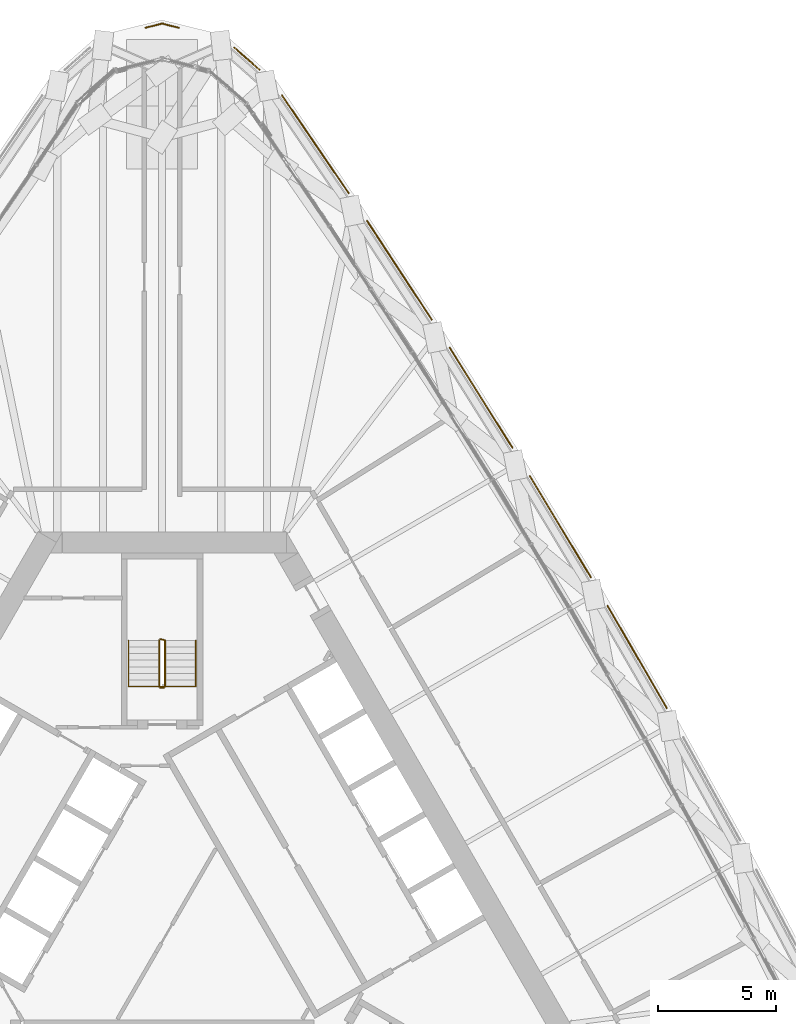
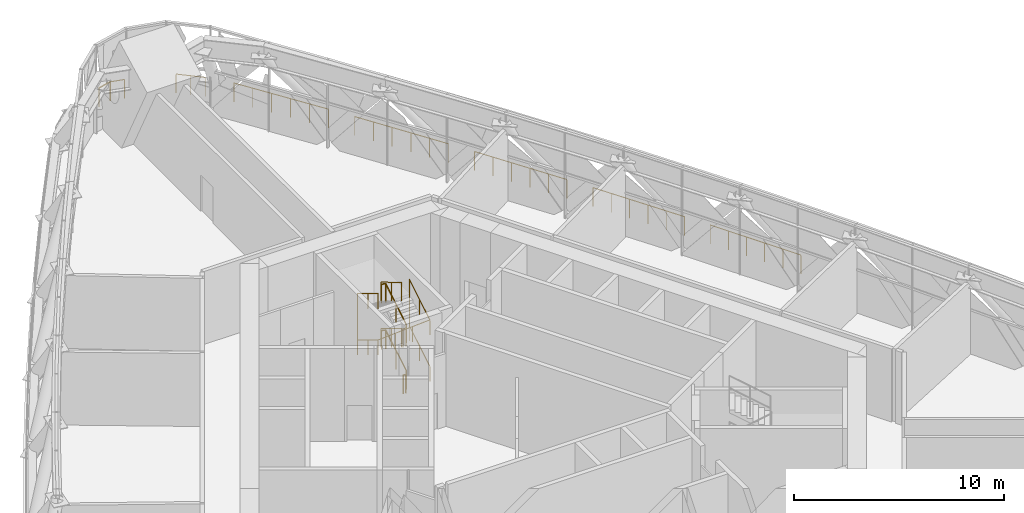
# One storey, part 42 of 43: 14 railings.
"""IFC4 building model written with IfcOpenShell, lengths in metres."""

from ifc_helpers import new_model, si_unit, direction, frame, origin, origin_2d, place, context, subcontext, project, spatial, circle, extrude, material, type_object, element, save


model = new_model("IFC4")

# Units and contexts
model_context = context("Model", 3, precision=1e-05, world=origin(), true_north=direction((0.0, 1.0)))
body_context = subcontext(model_context, "Body", "Model", "MODEL_VIEW")
ifc_project = project(units=[si_unit("LENGTHUNIT", "METRE"), si_unit("AREAUNIT", "SQUARE_METRE"), si_unit("VOLUMEUNIT", "CUBIC_METRE"), si_unit("PLANEANGLEUNIT", "RADIAN"), si_unit("MASSUNIT", "GRAM", prefix="KILO")], contexts=[model_context])

# Site, building, storey
site_placement = place(None, origin())
site = spatial("IfcSite", under=ifc_project, at=site_placement, CompositionType="ELEMENT")
building_placement = place(site_placement, origin())
building = spatial("IfcBuilding", under=site, at=building_placement, Name="Mestral Congress Tower", CompositionType="ELEMENT")
storey_placement = place(building_placement, frame((0.0, 0.0, 78.300048828125)))
storey = spatial("IfcBuildingStorey", under=building, at=storey_placement, Name="L18", CompositionType="ELEMENT", Elevation=78.300048828125)

# Railings
ifc_material_1 = material(Name="Stainless steel", Category="steel")
railing_type_1 = type_object("IfcRailingType", Name="Facade guard 1120 steel and glass", PredefinedType="GUARDRAIL", material=ifc_material_1)
railing_1_placement = place(storey_placement, frame((21.352783203125, 9.4423828125, 0.0)))
element("IfcRailing", 1, at=railing_1_placement, inside=storey, type_object=railing_type_1, Name="Band guard F1-04", PredefinedType="GUARDRAIL", context=body_context, shape_type="SweptSolid", body=[
    extrude(circle(Radius=0.02392578125, at=origin_2d()), frame((0.0, 0.0, 1.09619140625), z_axis=(-0.499984603534, 0.866034292756, 0.0), x_axis=(-0.866034292756, -0.499984603534, 0.0)), (0.0, 0.0, 1.0), 4.998291015625),
    extrude(circle(Radius=0.02099609375, at=origin_2d()), origin(), (0.0, 0.0, 1.0), 1.072021484375),
    extrude(circle(Radius=0.02099609375, at=origin_2d()), frame((-0.499755859375, 0.86572265625, 0.0)), (0.0, 0.0, 1.0), 1.072021484375),
    extrude(circle(Radius=0.02099609375, at=origin_2d()), frame((-0.99951171875, 1.7314453125, 0.0)), (0.0, 0.0, 1.0), 1.072021484375),
    extrude(circle(Radius=0.02099609375, at=origin_2d()), frame((-1.49951171875, 2.59716796875, 0.0)), (0.0, 0.0, 1.0), 1.072021484375),
    extrude(circle(Radius=0.02099609375, at=origin_2d()), frame((-1.999267578125, 3.462890625, 0.0)), (0.0, 0.0, 1.0), 1.072021484375),
    extrude(circle(Radius=0.02099609375, at=origin_2d()), frame((-2.4990234375, 4.32861328125, 0.0)), (0.0, 0.0, 1.0), 1.072021484375),
])
railing_2_placement = place(storey_placement, frame((18.138916015625, 14.98291015625, 0.0)))
element("IfcRailing", 2, at=railing_2_placement, inside=storey, type_object=railing_type_1, Name="Band guard F1-05", PredefinedType="GUARDRAIL", context=body_context, shape_type="SweptSolid", body=[
    extrude(circle(Radius=0.02392578125, at=origin_2d()), frame((0.0, 0.0, 1.09619140625), z_axis=(-0.515938796285, 0.856625448191, 0.0), x_axis=(-0.856625448191, -0.515938796285, 0.0)), (0.0, 0.0, 1.0), 4.998291015625),
    extrude(circle(Radius=0.02099609375, at=origin_2d()), origin(), (0.0, 0.0, 1.0), 1.072021484375),
    extrude(circle(Radius=0.02099609375, at=origin_2d()), frame((-0.515869140625, 0.8564453125, 0.0)), (0.0, 0.0, 1.0), 1.072021484375),
    extrude(circle(Radius=0.02099609375, at=origin_2d()), frame((-1.031494140625, 1.712646484375, 0.0)), (0.0, 0.0, 1.0), 1.072021484375),
    extrude(circle(Radius=0.02099609375, at=origin_2d()), frame((-1.54736328125, 2.569091796875, 0.0)), (0.0, 0.0, 1.0), 1.072021484375),
    extrude(circle(Radius=0.02099609375, at=origin_2d()), frame((-2.06298828125, 3.42529296875, 0.0)), (0.0, 0.0, 1.0), 1.072021484375),
    extrude(circle(Radius=0.02099609375, at=origin_2d()), frame((-2.578857421875, 4.28173828125, 0.0)), (0.0, 0.0, 1.0), 1.072021484375),
])
railing_3_placement = place(storey_placement, frame((14.822998046875, 20.46337890625, 0.0)))
element("IfcRailing", 3, at=railing_3_placement, inside=storey, type_object=railing_type_1, Name="Band guard F1-06", PredefinedType="GUARDRAIL", context=body_context, shape_type="SweptSolid", body=[
    extrude(circle(Radius=0.02392578125, at=origin_2d()), frame((0.0, 0.0, 1.09619140625), z_axis=(-0.531653247599, 0.846962115042, 0.0), x_axis=(-0.846962115042, -0.531653247599, 0.0)), (0.0, 0.0, 1.0), 4.998046875),
    extrude(circle(Radius=0.02099609375, at=origin_2d()), origin(), (0.0, 0.0, 1.0), 1.072021484375),
    extrude(circle(Radius=0.02099609375, at=origin_2d()), frame((-0.531494140625, 0.8466796875, 0.0)), (0.0, 0.0, 1.0), 1.072021484375),
    extrude(circle(Radius=0.02099609375, at=origin_2d()), frame((-1.06298828125, 1.693359375, 0.0)), (0.0, 0.0, 1.0), 1.072021484375),
    extrude(circle(Radius=0.02099609375, at=origin_2d()), frame((-1.59423828125, 2.539794921875, 0.0)), (0.0, 0.0, 1.0), 1.072021484375),
    extrude(circle(Radius=0.02099609375, at=origin_2d()), frame((-2.125732421875, 3.386474609375, 0.0)), (0.0, 0.0, 1.0), 1.072021484375),
    extrude(circle(Radius=0.02099609375, at=origin_2d()), frame((-2.6572265625, 4.233154296875, 0.0)), (0.0, 0.0, 1.0), 1.072021484375),
])
railing_4_placement = place(storey_placement, frame((11.406494140625, 25.88134765625, 0.0)))
element("IfcRailing", 4, at=railing_4_placement, inside=storey, type_object=railing_type_1, Name="Band guard F1-07", PredefinedType="GUARDRAIL", context=body_context, shape_type="SweptSolid", body=[
    extrude(circle(Radius=0.02392578125, at=origin_2d()), frame((0.0, 0.0, 1.09619140625), z_axis=(-0.547226989586, 0.836984242306, 0.0), x_axis=(-0.836984242306, -0.547226989586, 0.0)), (0.0, 0.0, 1.0), 4.998046875),
    extrude(circle(Radius=0.02099609375, at=origin_2d()), origin(), (0.0, 0.0, 1.0), 1.072021484375),
    extrude(circle(Radius=0.02099609375, at=origin_2d()), frame((-0.547119140625, 0.836669921875, 0.0)), (0.0, 0.0, 1.0), 1.072021484375),
    extrude(circle(Radius=0.02099609375, at=origin_2d()), frame((-1.093994140625, 1.67333984375, 0.0)), (0.0, 0.0, 1.0), 1.072021484375),
    extrude(circle(Radius=0.02099609375, at=origin_2d()), frame((-1.64111328125, 2.510009765625, 0.0)), (0.0, 0.0, 1.0), 1.072021484375),
    extrude(circle(Radius=0.02099609375, at=origin_2d()), frame((-2.18798828125, 3.3466796875, 0.0)), (0.0, 0.0, 1.0), 1.072021484375),
    extrude(circle(Radius=0.02099609375, at=origin_2d()), frame((-2.735107421875, 4.183349609375, 0.0)), (0.0, 0.0, 1.0), 1.072021484375),
])
railing_5_placement = place(storey_placement, frame((7.890380859375, 31.2353515625, 0.0)))
element("IfcRailing", 5, at=railing_5_placement, inside=storey, type_object=railing_type_1, Name="Band guard F1-08", PredefinedType="GUARDRAIL", context=body_context, shape_type="SweptSolid", body=[
    extrude(circle(Radius=0.02392578125, at=origin_2d()), frame((0.0, 0.0, 1.09619140625), z_axis=(-0.562587468419, 0.82673777002, 0.0), x_axis=(-0.82673777002, -0.562587468419, 0.0)), (0.0, 0.0, 1.0), 5.005615234375),
    extrude(circle(Radius=0.02099609375, at=origin_2d()), origin(), (0.0, 0.0, 1.0), 1.072021484375),
    extrude(circle(Radius=0.02099609375, at=origin_2d()), frame((-0.563232421875, 0.82763671875, 0.0)), (0.0, 0.0, 1.0), 1.072021484375),
    extrude(circle(Radius=0.02099609375, at=origin_2d()), frame((-1.12646484375, 1.6552734375, 0.0)), (0.0, 0.0, 1.0), 1.072021484375),
    extrude(circle(Radius=0.02099609375, at=origin_2d()), frame((-1.689697265625, 2.483154296875, 0.0)), (0.0, 0.0, 1.0), 1.072021484375),
    extrude(circle(Radius=0.02099609375, at=origin_2d()), frame((-2.2529296875, 3.310791015625, 0.0)), (0.0, 0.0, 1.0), 1.072021484375),
    extrude(circle(Radius=0.02099609375, at=origin_2d()), frame((-2.816162109375, 4.138427734375, 0.0)), (0.0, 0.0, 1.0), 1.072021484375),
])
railing_6_placement = place(storey_placement, frame((4.1220703125, 36.455078125, 0.0)))
element("IfcRailing", 6, at=railing_6_placement, inside=storey, type_object=railing_type_1, Name="Band guard K1-0", PredefinedType="GUARDRAIL", context=body_context, shape_type="SweptSolid", body=[
    extrude(circle(Radius=0.02392578125, at=origin_2d()), frame((0.0, 0.0, 1.09619140625), z_axis=(-0.749727089614, 0.661747150428, 0.0), x_axis=(-0.661747150428, -0.749727089614, 0.0)), (0.0, 0.0, 1.0), 1.415283203125),
    extrude(circle(Radius=0.02099609375, at=origin_2d()), origin(), (0.0, 0.0, 1.0), 1.072021484375),
    extrude(circle(Radius=0.02099609375, at=origin_2d()), frame((-0.530517578125, 0.46826171875, 0.0)), (0.0, 0.0, 1.0), 1.072021484375),
    extrude(circle(Radius=0.02099609375, at=origin_2d()), frame((-1.06103515625, 0.9365234375, 0.0)), (0.0, 0.0, 1.0), 1.072021484375),
])
railing_7_placement = place(storey_placement, frame((0.7060546875, 38.234375, 0.0)))
element("IfcRailing", 7, at=railing_7_placement, inside=storey, type_object=railing_type_1, Name="Band guard K1-1", PredefinedType="GUARDRAIL", context=body_context, shape_type="SweptSolid", body=[
    extrude(circle(Radius=0.02392578125, at=origin_2d()), frame((0.0, 0.0, 1.09619140625), z_axis=(-0.971167582305, 0.238397833629, 0.0), x_axis=(-0.238397833629, -0.971167582305, 0.0)), (0.0, 0.0, 1.0), 0.763916015625),
    extrude(circle(Radius=0.02099609375, at=origin_2d()), origin(), (0.0, 0.0, 1.0), 1.072021484375),
    extrude(circle(Radius=0.02099609375, at=origin_2d()), frame((-0.741943359375, 0.18212890625, 0.0)), (0.0, 0.0, 1.0), 1.072021484375),
])
railing_8_placement = place(storey_placement, frame((0.035888671875, 38.41650390625, 0.0)))
element("IfcRailing", 8, at=railing_8_placement, inside=storey, type_object=railing_type_1, Name="Band guard K1-2", PredefinedType="GUARDRAIL", context=body_context, shape_type="SweptSolid", body=[
    extrude(circle(Radius=0.02392578125, at=origin_2d()), frame((0.0, 0.0, 1.09619140625), z_axis=(-0.971167582305, -0.238397833629, 0.0), x_axis=(0.238397833629, -0.971167582305, 0.0)), (0.0, 0.0, 1.0), 0.763916015625),
    extrude(circle(Radius=0.02099609375, at=origin_2d()), origin(), (0.0, 0.0, 1.0), 1.072021484375),
    extrude(circle(Radius=0.02099609375, at=origin_2d()), frame((-0.741943359375, -0.18212890625, 0.0)), (0.0, 0.0, 1.0), 1.072021484375),
])
ifc_material_2 = material(Name="Steel balustrade", Category="steel")
railing_type_2 = type_object("IfcRailingType", Name="Stair guard 1100", PredefinedType="GUARDRAIL", material=ifc_material_2)
railing_9_placement = place(storey_placement, frame((0.125, 10.35009765625, 0.168701171875)))
element("IfcRailing", 9, at=railing_9_placement, inside=storey, type_object=railing_type_2, Name="L18 ST2 stair guard 1", PredefinedType="GUARDRAIL", context=body_context, shape_type="SweptSolid", body=[
    extrude(circle(Radius=0.02392578125, at=origin_2d()), frame((0.0, 0.0, 1.076171875), z_axis=(0.0, 0.856493463811, 0.516157869696), x_axis=(-1.0, 0.0, 0.0)), (0.0, 0.0, 1.0), 2.288330078125),
    extrude(circle(Radius=0.02392578125, at=origin_2d()), frame((0.0, 1.9599609375, 2.25732421875), z_axis=(-0.970072785993, 0.242814311512, 0.0), x_axis=(-0.242814311512, -0.970072785993, 0.0)), (0.0, 0.0, 1.0), 0.2060546875),
    extrude(circle(Radius=0.02099609375, at=origin_2d()), origin(), (0.0, 0.0, 1.0), 1.052001953125),
    extrude(circle(Radius=0.02099609375, at=origin_2d()), frame((0.0, 0.97998046875, 0.590576171875)), (0.0, 0.0, 1.0), 1.052001953125),
    extrude(circle(Radius=0.02099609375, at=origin_2d()), frame((0.0, 1.9599609375, 1.18115234375)), (0.0, 0.0, 1.0), 1.052001953125),
    extrude(circle(Radius=0.02099609375, at=origin_2d()), frame((-0.199951171875, 2.010009765625, 1.18115234375)), (0.0, 0.0, 1.0), 1.052001953125),
])
railing_10_placement = place(storey_placement, frame((-0.125, 12.31005859375, 1.518798828125)))
element("IfcRailing", 10, at=railing_10_placement, inside=storey, type_object=railing_type_2, Name="L18 ST2 stair guard 2", PredefinedType="GUARDRAIL", context=body_context, shape_type="SweptSolid", body=[
    extrude(circle(Radius=0.02392578125, at=origin_2d()), frame((0.0, 0.0, 1.076171875), z_axis=(0.0, -0.856493463811, 0.516157869696), x_axis=(1.0, 0.0, 0.0)), (0.0, 0.0, 1.0), 2.288330078125),
    extrude(circle(Radius=0.02392578125, at=origin_2d()), frame((0.0, -1.9599609375, 2.25732421875), z_axis=(0.707106781187, -0.707106781187, 0.0), x_axis=(0.707106781187, 0.707106781187, 0.0)), (0.0, 0.0, 1.0), 0.07080078125),
    extrude(circle(Radius=0.02392578125, at=origin_2d()), frame((0.050048828125, -2.010009765625, 2.25732421875), z_axis=(1.0, 0.0, 0.0), x_axis=(0.0, 1.0, 0.0)), (0.0, 0.0, 1.0), 0.14990234375),
    extrude(circle(Radius=0.02099609375, at=origin_2d()), origin(), (0.0, 0.0, 1.0), 1.052001953125),
    extrude(circle(Radius=0.02099609375, at=origin_2d()), frame((0.0, -0.97998046875, 0.590576171875)), (0.0, 0.0, 1.0), 1.052001953125),
    extrude(circle(Radius=0.02099609375, at=origin_2d()), frame((0.0, -1.9599609375, 1.18115234375)), (0.0, 0.0, 1.0), 1.052001953125),
    extrude(circle(Radius=0.02099609375, at=origin_2d()), frame((0.050048828125, -2.010009765625, 1.18115234375)), (0.0, 0.0, 1.0), 1.052001953125),
    extrude(circle(Radius=0.02099609375, at=origin_2d()), frame((0.199951171875, -2.010009765625, 1.18115234375)), (0.0, 0.0, 1.0), 1.052001953125),
])
railing_11_placement = place(storey_placement, frame((0.125, 10.35009765625, 2.86865234375)))
element("IfcRailing", 11, at=railing_11_placement, inside=storey, type_object=railing_type_2, Name="L18 ST2 stair guard 3", PredefinedType="GUARDRAIL", context=body_context, shape_type="SweptSolid", body=[
    extrude(circle(Radius=0.02392578125, at=origin_2d()), frame((0.0, 0.0, 1.076171875), z_axis=(0.0, 0.856446297458, 0.516236127728), x_axis=(-1.0, 0.0, 0.0)), (0.0, 0.0, 1.0), 2.28857421875),
    extrude(circle(Radius=0.02392578125, at=origin_2d()), frame((0.0, 1.9599609375, 2.25732421875), z_axis=(-0.970072785993, 0.242814311512, 0.0), x_axis=(-0.242814311512, -0.970072785993, 0.0)), (0.0, 0.0, 1.0), 0.2060546875),
    extrude(circle(Radius=0.02099609375, at=origin_2d()), origin(), (0.0, 0.0, 1.0), 1.052001953125),
    extrude(circle(Radius=0.02099609375, at=origin_2d()), frame((0.0, 0.97998046875, 0.5908203125)), (0.0, 0.0, 1.0), 1.052001953125),
    extrude(circle(Radius=0.02099609375, at=origin_2d()), frame((0.0, 1.9599609375, 1.181396484375)), (0.0, 0.0, 1.0), 1.052001953125),
    extrude(circle(Radius=0.02099609375, at=origin_2d()), frame((-0.199951171875, 2.010009765625, 1.181396484375)), (0.0, 0.0, 1.0), 1.052001953125),
])
railing_12_placement = place(storey_placement, frame((-0.125, 12.31005859375, 4.21875)))
element("IfcRailing", 12, at=railing_12_placement, inside=storey, type_object=railing_type_2, Name="L18 ST2 stair guard 4", PredefinedType="GUARDRAIL", context=body_context, shape_type="SweptSolid", body=[
    extrude(circle(Radius=0.02392578125, at=origin_2d()), frame((0.0, 0.0, 1.076171875), z_axis=(0.0, -0.856493463811, 0.516157869696), x_axis=(1.0, 0.0, 0.0)), (0.0, 0.0, 1.0), 2.288330078125),
    extrude(circle(Radius=0.02099609375, at=origin_2d()), origin(), (0.0, 0.0, 1.0), 1.052001953125),
    extrude(circle(Radius=0.02099609375, at=origin_2d()), frame((0.0, -0.97998046875, 0.590576171875)), (0.0, 0.0, 1.0), 1.052001953125),
    extrude(circle(Radius=0.02099609375, at=origin_2d()), frame((0.0, -1.9599609375, 1.18115234375)), (0.0, 0.0, 1.0), 1.052001953125),
])
railing_13_placement = place(storey_placement, frame((0.074951171875, 10.300048828125, 0.0)))
element("IfcRailing", 13, at=railing_13_placement, inside=storey, type_object=railing_type_2, Name="L18 ST2 stair guard 5", PredefinedType="GUARDRAIL", context=body_context, shape_type="SweptSolid", body=[
    extrude(circle(Radius=0.02392578125, at=origin_2d()), frame((0.0, 0.0, 1.076171875), z_axis=(-1.0, 0.0, 0.0), x_axis=(0.0, -1.0, 0.0)), (0.0, 0.0, 1.0), 0.14990234375),
    extrude(circle(Radius=0.02099609375, at=origin_2d()), origin(), (0.0, 0.0, 1.0), 1.052001953125),
    extrude(circle(Radius=0.02099609375, at=origin_2d()), frame((-0.14990234375, 0.0, 0.0)), (0.0, 0.0, 1.0), 1.052001953125),
])
ifc_material_3 = material(Name="Steel handrail", Category="steel")
railing_type_3 = type_object("IfcRailingType", Name="Stair handrail 900", PredefinedType="HANDRAIL", material=ifc_material_3)
railing_14_placement = place(storey_placement, frame((1.425048828125, 10.35009765625, 0.168701171875)))
element("IfcRailing", 14, at=railing_14_placement, inside=storey, type_object=railing_type_3, Name="L18 ST2 stair handrail 1", PredefinedType="HANDRAIL", context=body_context, shape_type="SweptSolid", body=[
    extrude(circle(Radius=0.02392578125, at=origin_2d()), frame((0.0, 0.0, 0.8759765625), z_axis=(0.0, 0.856493463811, 0.516157869696), x_axis=(-1.0, 0.0, 0.0)), (0.0, 0.0, 1.0), 2.288330078125),
    extrude(circle(Radius=0.02392578125, at=origin_2d()), frame((0.0, 1.9599609375, 2.05712890625), z_axis=(0.0, 0.0, 1.0), x_axis=(1.0, 0.0, 0.0)), (0.0, 0.0, 1.0), 2.7001953125),
    extrude(circle(Radius=0.02392578125, at=origin_2d()), frame((0.0, 1.9599609375, 4.75732421875), z_axis=(0.0, -0.856446297458, -0.516236127728), x_axis=(1.0, 0.0, 0.0)), (0.0, 0.0, 1.0), 2.28857421875),
    extrude(circle(Radius=0.02392578125, at=origin_2d()), frame((0.0, 0.0, 3.57568359375), z_axis=(-0.998252780982, 0.0, -0.059087945148), x_axis=(0.0, -1.0, 0.0)), (0.0, 0.0, 1.0), 2.85498046875),
    extrude(circle(Radius=0.02392578125, at=origin_2d()), frame((-2.85009765625, 0.0, 3.4072265625), z_axis=(0.0, 0.856493463811, -0.516157869696), x_axis=(-1.0, 0.0, 0.0)), (0.0, 0.0, 1.0), 2.288330078125),
    extrude(circle(Radius=0.02392578125, at=origin_2d()), frame((-2.85009765625, 1.9599609375, 2.22607421875), z_axis=(0.0, 0.0, 1.0), x_axis=(1.0, 0.0, 0.0)), (0.0, 0.0, 1.0), 2.699951171875),
    extrude(circle(Radius=0.02392578125, at=origin_2d()), frame((-2.85009765625, 1.9599609375, 4.92578125), z_axis=(0.0, -0.856493463811, 0.516157869696), x_axis=(1.0, 0.0, 0.0)), (0.0, 0.0, 1.0), 2.288330078125),
    extrude(circle(Radius=0.02099609375, at=origin_2d()), origin(), (0.0, 0.0, 1.0), 0.851806640625),
    extrude(circle(Radius=0.02099609375, at=origin_2d()), frame((0.0, 0.97998046875, 0.590576171875)), (0.0, 0.0, 1.0), 0.851806640625),
    extrude(circle(Radius=0.02099609375, at=origin_2d()), frame((0.0, 1.9599609375, 1.18115234375)), (0.0, 0.0, 1.0), 0.851806640625),
    extrude(circle(Radius=0.02099609375, at=origin_2d()), frame((0.0, 1.9599609375, 2.081298828125)), (0.0, 0.0, 1.0), 0.851806640625),
    extrude(circle(Radius=0.02099609375, at=origin_2d()), frame((0.0, 1.9599609375, 2.981201171875)), (0.0, 0.0, 1.0), 0.851806640625),
    extrude(circle(Radius=0.02099609375, at=origin_2d()), frame((0.0, 1.9599609375, 3.88134765625)), (0.0, 0.0, 1.0), 0.851806640625),
    extrude(circle(Radius=0.02099609375, at=origin_2d()), frame((0.0, 0.97998046875, 3.29052734375)), (0.0, 0.0, 1.0), 0.851806640625),
    extrude(circle(Radius=0.02099609375, at=origin_2d()), frame((0.0, 0.0, 2.699951171875)), (0.0, 0.0, 1.0), 0.851806640625),
    extrude(circle(Radius=0.02099609375, at=origin_2d()), frame((-0.949951171875, 0.0, 2.643798828125)), (0.0, 0.0, 1.0), 0.851806640625),
    extrude(circle(Radius=0.02099609375, at=origin_2d()), frame((-1.900146484375, 0.0, 2.58740234375)), (0.0, 0.0, 1.0), 0.851806640625),
    extrude(circle(Radius=0.02099609375, at=origin_2d()), frame((-2.85009765625, 0.0, 2.53125)), (0.0, 0.0, 1.0), 0.851806640625),
    extrude(circle(Radius=0.02099609375, at=origin_2d()), frame((-2.85009765625, 0.97998046875, 1.940673828125)), (0.0, 0.0, 1.0), 0.851806640625),
    extrude(circle(Radius=0.02099609375, at=origin_2d()), frame((-2.85009765625, 1.9599609375, 1.35009765625)), (0.0, 0.0, 1.0), 0.851806640625),
    extrude(circle(Radius=0.02099609375, at=origin_2d()), frame((-2.85009765625, 1.9599609375, 2.25)), (0.0, 0.0, 1.0), 0.851806640625),
    extrude(circle(Radius=0.02099609375, at=origin_2d()), frame((-2.85009765625, 1.9599609375, 3.150146484375)), (0.0, 0.0, 1.0), 0.851806640625),
    extrude(circle(Radius=0.02099609375, at=origin_2d()), frame((-2.85009765625, 1.9599609375, 4.050048828125)), (0.0, 0.0, 1.0), 0.851806640625),
    extrude(circle(Radius=0.02099609375, at=origin_2d()), frame((-2.85009765625, 0.97998046875, 4.640625)), (0.0, 0.0, 1.0), 0.851806640625),
    extrude(circle(Radius=0.02099609375, at=origin_2d()), frame((-2.85009765625, 0.0, 5.231201171875)), (0.0, 0.0, 1.0), 0.851806640625),
])

save(model, "model.ifc")
